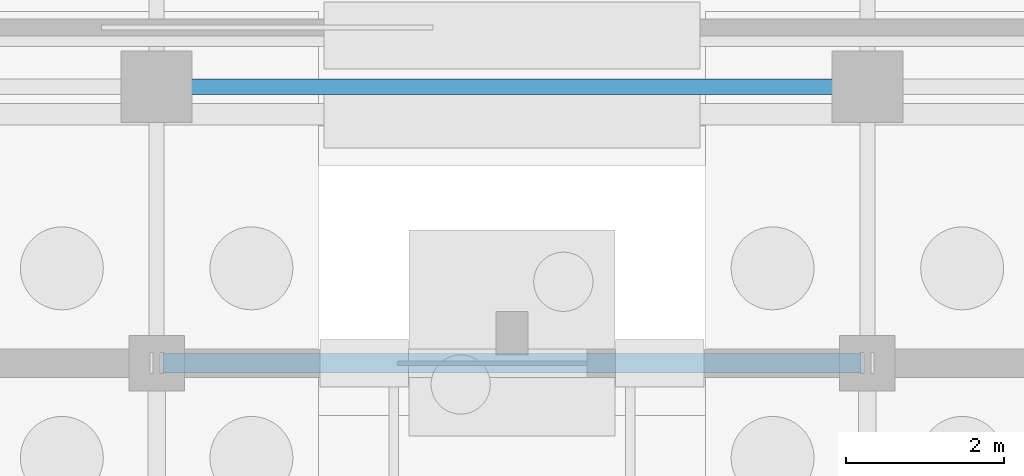
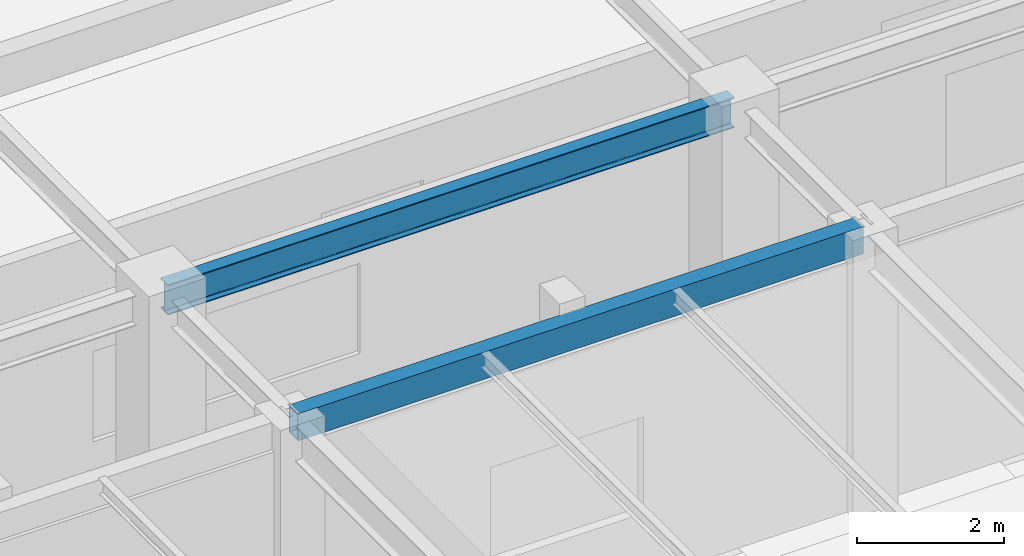
# One storey, part 82 of 160: 2 beams.
"""IFC4 building model written with IfcOpenShell, lengths in metres."""

from ifc_helpers import new_model, si_unit, direction, frame, origin, origin_2d, place, context, subcontext, project, spatial, hollow_rectangle, i_section, extrude, material, material_profile, profile_set, type_object, element, save


model = new_model("IFC4")

# Units and contexts
model_context = context("Model", 3, precision=1e-05, world=origin(), true_north=direction((0.0, 1.0)))
body_context = subcontext(model_context, "Body", "Model", "MODEL_VIEW")
ifc_project = project(units=[si_unit("LENGTHUNIT", "METRE"), si_unit("AREAUNIT", "SQUARE_METRE"), si_unit("VOLUMEUNIT", "CUBIC_METRE"), si_unit("PLANEANGLEUNIT", "RADIAN"), si_unit("MASSUNIT", "GRAM", prefix="KILO")], contexts=[model_context])

# Site, building, storey
site_placement = place(None, origin())
site = spatial("IfcSite", under=ifc_project, at=site_placement, CompositionType="ELEMENT")
building_placement = place(site_placement, origin())
building = spatial("IfcBuilding", under=site, at=building_placement, Name="Marlcrest Central Station", CompositionType="ELEMENT")
storey_placement = place(building_placement, origin())
storey = spatial("IfcBuildingStorey", under=building, at=storey_placement, Name="L00", CompositionType="ELEMENT", Elevation=0.0)

# Beams
ifc_material = material(Name="Steel S355", Category="steel")
ifc_material_profile_1 = material_profile(ifc_material, i_section(OverallWidth=0.199951171875, OverallDepth=0.5, WebThickness=0.01025390625, FlangeThickness=0.01611328125, FilletRadius=0.02099609375, at=origin_2d()), Name="IPE 500")
ifc_profile_set_1 = profile_set([ifc_material_profile_1], Name="Steel S355")
beam_type_1 = type_object("IfcBeamType", Name="BM-05", PredefinedType="BEAM", material=ifc_profile_set_1)
beam_1_placement = place(storey_placement, frame((153.050048828125, 36.5, 4.360107421875), z_axis=(1.0, 0.0, 0.0), x_axis=(0.0, 1.0, 0.0)))
element("IfcBeam", 1, at=beam_1_placement, inside=storey, type_object=beam_type_1, Name="bm-BM-05-L00-01102", PredefinedType="BEAM", context=body_context, shape_type="SweptSolid", body=[
    extrude(i_section(OverallWidth=0.199951171875, OverallDepth=0.5, WebThickness=0.01025390625, FlangeThickness=0.01611328125, FilletRadius=0.02099609375, at=origin_2d()), origin(), (0.0, 0.0, 1.0), 8.89990234375),
])
ifc_material_profile_2 = material_profile(ifc_material, hollow_rectangle(XDim=0.25, YDim=0.449951171875, WallThickness=0.01611328125, at=origin_2d()), Name="RHS 450x250x16")
ifc_profile_set_2 = profile_set([ifc_material_profile_2], Name="Steel S355")
beam_type_2 = type_object("IfcBeamType", Name="SP-02", PredefinedType="SPANDREL", material=ifc_profile_set_2)
beam_2_placement = place(storey_placement, frame((153.06005859375, 33.0, 4.3798828125), z_axis=(1.0, 0.0, 0.0), x_axis=(0.0, 1.0, 0.0)))
element("IfcBeam", 2, at=beam_2_placement, inside=storey, type_object=beam_type_2, Name="bm-SP-02-L00-00775", PredefinedType="SPANDREL", context=body_context, shape_type="SweptSolid", body=[
    extrude(hollow_rectangle(XDim=0.25, YDim=0.449951171875, WallThickness=0.01611328125, at=origin_2d()), origin(), (0.0, 0.0, 1.0), 8.8798828125),
])

save(model, "model.ifc")
